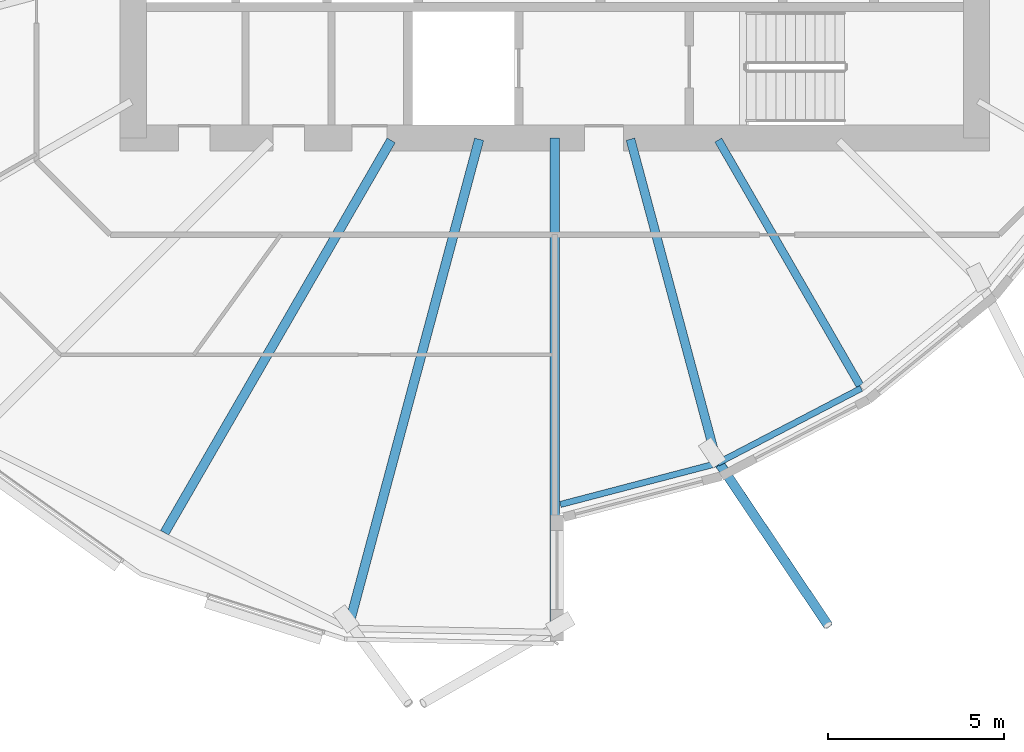
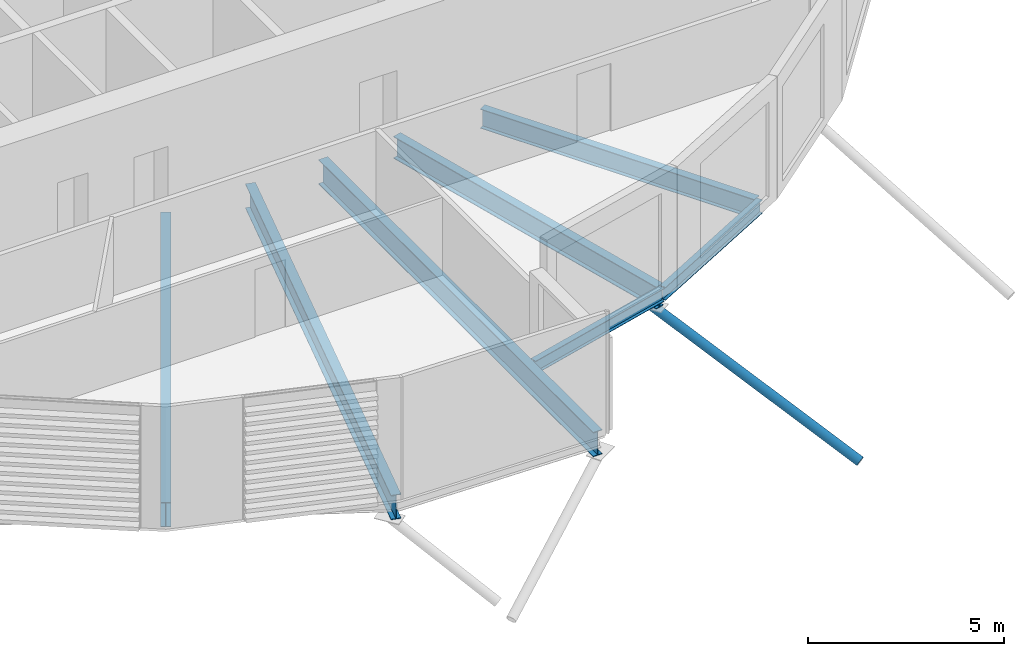
# One storey, part 13 of 42: 7 beams, 1 member.
"""IFC4 building model written with IfcOpenShell, lengths in metres."""

import ifcopenshell
import ifcopenshell.guid

model = None  # the IFC model being written
_history = None  # IfcOwnerHistory: only IFC2X3 demands one
_inside = {}  # id of a spatial element -> (the spatial element, [elements in it])
_under = {}  # id of a project, library or spatial element -> (it, [spatial elements below it])
_declared = {}  # id of a project -> (the project, [libraries it declares])
_typed = {}  # id of a type object -> (the type object, [elements of that type])
_made_of = {}  # id of a material, layer set ... -> (it, [elements and type objects made of it])


def new_model(schema):
    """Start an empty IFC model of exactly this schema.

    Asked for "IFC4X3", IfcOpenShell would pick the latest addendum, in which some entities
    have other attributes; the version numbers below select the first issue.
    IFC2X3 requires an IfcOwnerHistory on every rooted entity: one is made here for all.
    """
    global model, _history
    if schema == "IFC4X3":
        model = ifcopenshell.file(schema_version=(4, 3, 0, 0))
    else:
        model = ifcopenshell.file(schema=schema)
    _inside.clear()
    _under.clear()
    _declared.clear()
    _typed.clear()
    _made_of.clear()
    _history = None
    if model.schema == "IFC2X3":
        org = make("IfcOrganization", Name="unknown")
        user = make(
            "IfcPersonAndOrganization",
            ThePerson=make("IfcPerson", FamilyName="unknown"),
            TheOrganization=org,
        )
        app = make(
            "IfcApplication",
            ApplicationDeveloper=org,
            Version="unknown",
            ApplicationFullName="unknown",
            ApplicationIdentifier="unknown",
        )
        _history = make(
            "IfcOwnerHistory",
            OwningUser=user,
            OwningApplication=app,
            ChangeAction="ADDED",
            CreationDate=0,
        )
    return model


def make(cls, **values):
    """One entity of the class cls with the attributes given. An attribute that is None is left unset."""
    return model.create_entity(
        cls, **{name: value for name, value in values.items() if value is not None}
    )


def rooted(cls, **values):
    """An entity with a GlobalId (a new one), such as an element, a storey or a relation."""
    return make(cls, GlobalId=ifcopenshell.guid.new(), OwnerHistory=_history, **values)


def si_unit(unit_type, name, prefix=None):
    """IfcSIUnit, for example si_unit("LENGTHUNIT", "METRE", prefix="MILLI")."""
    return make("IfcSIUnit", UnitType=unit_type, Prefix=prefix, Name=name)


def assignment(units):
    """IfcUnitAssignment: the units of a project."""
    return None if units is None else make("IfcUnitAssignment", Units=units)


def point(xyz):
    """IfcCartesianPoint."""
    return None if xyz is None else make("IfcCartesianPoint", Coordinates=xyz)


def direction(xyz):
    """IfcDirection."""
    return None if xyz is None else make("IfcDirection", DirectionRatios=xyz)


def frame(location, z_axis=None, x_axis=None):
    """IfcAxis2Placement3D, a coordinate frame: its origin and axes. An axis left out is left unset."""
    return make(
        "IfcAxis2Placement3D",
        Location=point(location),
        Axis=direction(z_axis),
        RefDirection=direction(x_axis),
    )


def frame_2d(location, x_axis=None):
    """IfcAxis2Placement2D, a coordinate frame in the plane: its origin and x axis."""
    return make(
        "IfcAxis2Placement2D", Location=point(location), RefDirection=direction(x_axis)
    )


def origin():
    """The frame at (0, 0, 0) with its axes left unset."""
    return frame((0.0, 0.0, 0.0))


def origin_2d():
    """The frame at (0, 0) in the plane with its x axis left unset."""
    return frame_2d((0.0, 0.0))


def place(relative_to, where):
    """IfcLocalPlacement: puts the frame where relative to a parent placement (None: the world)."""
    return make(
        "IfcLocalPlacement", PlacementRelTo=relative_to, RelativePlacement=where
    )


def context(
    kind, dimensions, precision=None, world=None, true_north=None, identifier=None
):
    """IfcGeometricRepresentationContext, for example the 3D "Model" context."""
    return make(
        "IfcGeometricRepresentationContext",
        ContextIdentifier=identifier,
        ContextType=kind,
        CoordinateSpaceDimension=dimensions,
        Precision=precision,
        WorldCoordinateSystem=world,
        TrueNorth=true_north,
    )


def subcontext(parent, identifier, kind, view, scale=None):
    """IfcGeometricRepresentationSubContext, for example "Body" below "Model"."""
    return make(
        "IfcGeometricRepresentationSubContext",
        ContextIdentifier=identifier,
        ContextType=kind,
        ParentContext=parent,
        TargetScale=scale,
        TargetView=view,
    )


def project(units=None, contexts=None):
    """IfcProject with its units and contexts."""
    return rooted(
        "IfcProject",
        Name="project",
        RepresentationContexts=contexts,
        UnitsInContext=assignment(units),
    )


def spatial(cls, under=None, at=None, **own):
    """A site, building, storey or space (cls), placed at a placement, below another one or the project."""
    s = rooted(cls, ObjectPlacement=at, **own)
    if under is not None:
        _under.setdefault(under.id(), (under, []))[1].append(s)
    return s


def profile(cls, at=None, kind="AREA", **sizes):
    """A parametric profile (cls). Its sizes go by their IFC names, for example OverallWidth=200.0."""
    return make(cls, ProfileType=kind, Position=at, **sizes)


def hollow_circle(**sizes):
    """IfcCircleHollowProfileDef."""
    return profile("IfcCircleHollowProfileDef", **sizes)


def i_section(**sizes):
    """IfcIShapeProfileDef."""
    return profile("IfcIShapeProfileDef", **sizes)


def extrude(swept, where, along, depth):
    """IfcExtrudedAreaSolid: the profile swept, set in the frame where, extruded along a direction by depth."""
    return make(
        "IfcExtrudedAreaSolid",
        SweptArea=swept,
        Position=where,
        ExtrudedDirection=direction(along),
        Depth=depth,
    )


def clip(a, b, op="DIFFERENCE"):
    """IfcBooleanClippingResult: the solid a cut by the half space b."""
    return make(
        "IfcBooleanClippingResult", Operator=op, FirstOperand=a, SecondOperand=b
    )


def halfspace(plane, agree):
    """IfcHalfSpaceSolid: all space on one side of the plane z = 0 of the frame plane."""
    return make(
        "IfcHalfSpaceSolid",
        BaseSurface=make("IfcPlane", Position=plane),
        AgreementFlag=agree,
    )


def shape(context_of_items, identifier, shape_type, items):
    """IfcShapeRepresentation: the items that make up one representation, for example the "Body"."""
    return make(
        "IfcShapeRepresentation",
        ContextOfItems=context_of_items,
        RepresentationIdentifier=identifier,
        RepresentationType=shape_type,
        Items=items,
    )


def material(Name=None, Category=None):
    """IfcMaterial."""
    return make("IfcMaterial", Name=Name, Category=Category)


def material_profile(
    of_material, cross_section, Name=None, Category=None, Priority=None
):
    """IfcMaterialProfile: a cross section and its material."""
    return make(
        "IfcMaterialProfile",
        Name=Name,
        Material=of_material,
        Profile=cross_section,
        Priority=Priority,
        Category=Category,
    )


def profile_set(profiles, Name=None, composite=None):
    """IfcMaterialProfileSet."""
    return make(
        "IfcMaterialProfileSet",
        Name=Name,
        MaterialProfiles=profiles,
        CompositeProfile=composite,
    )


def made_of(thing, what):
    """Note that an element or type object is made of a material, layer set ...; save() writes the relation."""
    if what is not None:
        _made_of.setdefault(what.id(), (what, []))[1].append(thing)
    return thing


def type_object(cls, material=None, **own):
    """A type object (cls), such as IfcWallType, which elements share."""
    return made_of(rooted(cls, **own), material)


def element(
    cls,
    number,
    at=None,
    inside=None,
    cuts=None,
    type_object=None,
    material=None,
    context=None,
    identifier="Body",
    shape_type=None,
    held_by="IfcProductDefinitionShape",
    body=None,
    shapes=None,
    **own,
):
    """One element of the class cls, such as IfcWall. Its Tag is "e" and its number.

    at: its placement. inside: the storey or other place that contains it. cuts: it is an
    opening in that element (IfcRelVoidsElement). A single representation is given by context,
    identifier, shape_type and body (its items); several are given by shapes. held_by: the class
    of the entity that holds the representations. save() writes the other relations.
    """
    e = rooted(cls, Tag="e%d" % number, ObjectPlacement=at, **own)
    if body is not None:
        shapes = [shape(context, identifier, shape_type, body)]
    if shapes is not None:
        e.Representation = make(held_by, Representations=shapes)
    if inside is not None:
        _inside.setdefault(inside.id(), (inside, []))[1].append(e)
    if cuts is not None:
        rooted(
            "IfcRelVoidsElement", RelatingBuildingElement=cuts, RelatedOpeningElement=e
        )
    if type_object is not None:
        _typed.setdefault(type_object.id(), (type_object, []))[1].append(e)
    return made_of(e, material)


def aggregate(whole, parts):
    """IfcRelAggregates: a whole, such as a stair, and the parts it consists of."""
    return rooted("IfcRelAggregates", RelatingObject=whole, RelatedObjects=parts)


def save(model, path):
    """Write the relations noted so far, then the file.

    IfcRelAggregates (storeys below a building ...), IfcRelContainedInSpatialStructure (elements
    in a storey), IfcRelDefinesByType, IfcRelAssociatesMaterial and IfcRelDeclares: one each for
    every whole, place, type object, material and project.
    """
    for whole, parts in _under.values():
        aggregate(whole, parts)
    for where, things in _inside.values():
        rooted(
            "IfcRelContainedInSpatialStructure",
            RelatedElements=things,
            RelatingStructure=where,
        )
    for kind, things in _typed.values():
        rooted("IfcRelDefinesByType", RelatedObjects=things, RelatingType=kind)
    for what, things in _made_of.values():
        rooted("IfcRelAssociatesMaterial", RelatedObjects=things, RelatingMaterial=what)
    for by, libraries in _declared.values():
        rooted("IfcRelDeclares", RelatingContext=by, RelatedDefinitions=libraries)
    model.write(path)


model = new_model("IFC4")

# Units and contexts
model_context = context("Model", 3, precision=1e-05, world=origin(), true_north=direction((0.0, 1.0)))
body_context = subcontext(model_context, "Body", "Model", "MODEL_VIEW")
ifc_project = project(units=[si_unit("LENGTHUNIT", "METRE"), si_unit("AREAUNIT", "SQUARE_METRE"), si_unit("VOLUMEUNIT", "CUBIC_METRE"), si_unit("PLANEANGLEUNIT", "RADIAN"), si_unit("MASSUNIT", "GRAM", prefix="KILO")], contexts=[model_context])

# Site, building, storey
site_placement = place(None, origin())
site = spatial("IfcSite", under=ifc_project, at=site_placement, CompositionType="ELEMENT")
building_placement = place(site_placement, origin())
building = spatial("IfcBuilding", under=site, at=building_placement, Name="Rimbun Link Towers", CompositionType="ELEMENT")
storey_placement = place(building_placement, frame((0.0, 0.0, 85.39990234375)))
storey = spatial("IfcBuildingStorey", under=building, at=storey_placement, Name="L20", CompositionType="ELEMENT", Elevation=85.39990234375)

# Member
ifc_material_1 = material(Name="Steel S355J2H", Category="steel")
ifc_material_profile_1 = material_profile(ifc_material_1, hollow_circle(Radius=0.136474609375, WallThickness=0.012451171875, at=origin_2d()), Name="CHS 273x12.5")
ifc_profile_set_1 = profile_set([ifc_material_profile_1], Name="Steel S355J2H")
member_type = type_object("IfcMemberType", Name="Floor edge link CHS 273x12.5", PredefinedType="BRACE", material=ifc_profile_set_1)
member_placement = place(storey_placement, frame((36.338134765625, -17.123291015625, -0.9658203125), z_axis=(0.496232569669, -0.73870596174, -0.456143331519), x_axis=(0.830094071548, 0.557623378618, 0.0)))
element("IfcMember", 1, at=member_placement, inside=storey, type_object=member_type, Name="Floor edge link T2 L20 16", PredefinedType="BRACE", context=body_context, shape_type="Clipping", body=[
    clip(extrude(hollow_circle(Radius=0.136474609375, WallThickness=0.012451171875, at=origin_2d()), frame((0.0, 0.0, -0.554443359375)), (0.0, 0.0, 1.0), 6.9794921875), halfspace(frame((0.0, 0.0, -0.263916015625), z_axis=(0.0, 0.889906321537, -0.456143331519)), False)),
])

# Beams
ifc_material_2 = material(Name="Steel S355J2", Category="steel")
ifc_material_profile_2 = material_profile(ifc_material_2, i_section(OverallWidth=0.177978515625, OverallDepth=0.406494140625, WebThickness=0.0078125, FlangeThickness=0.0126953125, at=origin_2d()), Name="UB 406x178x60")
ifc_profile_set_2 = profile_set([ifc_material_profile_2], Name="Steel S355J2")
beam_type_1 = type_object("IfcBeamType", Name="UB 406x178x60", PredefinedType="BEAM", material=ifc_profile_set_2)
beam_1_placement = place(storey_placement, frame((31.906982421875, -18.428955078125, -0.363037109375), z_axis=(0.967376552356, 0.253342862446, 0.0), x_axis=(-0.253342862446, 0.967376552356, 0.0)))
element("IfcBeam", 2, at=beam_1_placement, inside=storey, type_object=beam_type_1, Name="Edge beam T2 L20 15 recess", PredefinedType="BEAM", context=body_context, shape_type="SweptSolid", body=[
    extrude(i_section(OverallWidth=0.177978515625, OverallDepth=0.406494140625, WebThickness=0.0078125, FlangeThickness=0.0126953125, at=origin_2d()), origin(), (0.0, 0.0, 1.0), 4.607421875),
])
beam_2_placement = place(storey_placement, frame((36.38427734375, -17.25390625, -0.363037109375), z_axis=(0.886721799489, 0.462303418018, 0.0), x_axis=(-0.462303418018, 0.886721799489, 0.0)))
element("IfcBeam", 3, at=beam_2_placement, inside=storey, type_object=beam_type_1, Name="Edge beam T2 L20 16 recess", PredefinedType="BEAM", context=body_context, shape_type="SweptSolid", body=[
    extrude(i_section(OverallWidth=0.177978515625, OverallDepth=0.406494140625, WebThickness=0.0078125, FlangeThickness=0.0126953125, at=origin_2d()), origin(), (0.0, 0.0, 1.0), 4.607666015625),
])
ifc_material_3 = material(Name="Steel S355J2", Category="steel")
ifc_material_profile_3 = material_profile(ifc_material_3, i_section(OverallWidth=0.2275390625, OverallDepth=0.6025390625, WebThickness=0.010498046875, FlangeThickness=0.014892578125, at=origin_2d()), Name="UB 610x229x101")
ifc_profile_set_3 = profile_set([ifc_material_profile_3], Name="Steel S355J2")
beam_type_2 = type_object("IfcBeamType", Name="UB 610x229x101", PredefinedType="BEAM", material=ifc_profile_set_3)
beam_3_placement = place(storey_placement, frame((36.402099609375, -8.057861328125, -0.461181640625), z_axis=(0.500001141088, -0.866024744976, 0.0), x_axis=(0.866024744976, 0.500001141088, 0.0)))
element("IfcBeam", 4, at=beam_3_placement, inside=storey, type_object=beam_type_2, Name="Radial beam T2 L20 17", PredefinedType="BEAM", context=body_context, shape_type="SweptSolid", body=[
    extrude(i_section(OverallWidth=0.2275390625, OverallDepth=0.6025390625, WebThickness=0.010498046875, FlangeThickness=0.014892578125, at=origin_2d()), origin(), (0.0, 0.0, 1.0), 8.0634765625),
])
ifc_material_4 = material(Name="Steel S355J2", Category="steel")
ifc_material_profile_4 = material_profile(ifc_material_4, i_section(OverallWidth=0.253662109375, OverallDepth=0.68359375, WebThickness=0.012451171875, FlangeThickness=0.01904296875, at=origin_2d()), Name="UB 686x254x140")
ifc_profile_set_4 = profile_set([ifc_material_profile_4], Name="Steel S355J2")
beam_type_3 = type_object("IfcBeamType", Name="UB 686x254x140", PredefinedType="BEAM", material=ifc_profile_set_4)
beam_4_placement = place(storey_placement, frame((33.902587890625, -8.03369140625, -0.501708984375), z_axis=(0.258817351841, -0.965926279995, 0.0), x_axis=(0.965926279995, 0.258817351841, 0.0)))
element("IfcBeam", 5, at=beam_4_placement, inside=storey, type_object=beam_type_3, Name="Radial beam T2 L20 16", PredefinedType="BEAM", context=body_context, shape_type="SweptSolid", body=[
    extrude(i_section(OverallWidth=0.253662109375, OverallDepth=0.68359375, WebThickness=0.012451171875, FlangeThickness=0.01904296875, at=origin_2d()), origin(), (0.0, 0.0, 1.0), 9.460205078125),
])
ifc_material_5 = material(Name="Steel S355J2", Category="steel")
ifc_material_profile_5 = material_profile(ifc_material_5, i_section(OverallWidth=0.2666015625, OverallDepth=0.76220703125, WebThickness=0.014404296875, FlangeThickness=0.021484375, at=origin_2d()), Name="UB 762x267x173")
ifc_profile_set_5 = profile_set([ifc_material_profile_5], Name="Steel S355J2")
beam_type_4 = type_object("IfcBeamType", Name="UB 762x267x173", PredefinedType="BEAM", material=ifc_profile_set_5)
beam_5_placement = place(storey_placement, frame((27.09228515625, -8.0673828125, -0.541015625), z_axis=(-0.500006572533, -0.866021609098, 0.0), x_axis=(0.866021609098, -0.500006572533, 0.0)))
element("IfcBeam", 6, at=beam_5_placement, inside=storey, type_object=beam_type_4, Name="Radial beam T2 L20 13", PredefinedType="BEAM", context=body_context, shape_type="SweptSolid", body=[
    extrude(i_section(OverallWidth=0.2666015625, OverallDepth=0.76220703125, WebThickness=0.014404296875, FlangeThickness=0.021484375, at=origin_2d()), origin(), (0.0, 0.0, 1.0), 12.892822265625),
])
beam_6_placement = place(storey_placement, frame((29.596923828125, -8.035400390625, -0.541015625), z_axis=(-0.258815068395, -0.965926891836, 0.0), x_axis=(0.965926891836, -0.258815068395, 0.0)))
element("IfcBeam", 7, at=beam_6_placement, inside=storey, type_object=beam_type_4, Name="Radial beam T2 L20 14", PredefinedType="BEAM", context=body_context, shape_type="SweptSolid", body=[
    extrude(i_section(OverallWidth=0.2666015625, OverallDepth=0.76220703125, WebThickness=0.014404296875, FlangeThickness=0.021484375, at=origin_2d()), origin(), (0.0, 0.0, 1.0), 14.3173828125),
])
beam_7_placement = place(storey_placement, frame((31.75, -8.0009765625, -0.541015625), z_axis=(0.0, -1.0, 0.0), x_axis=(1.0, 0.0, 0.0)))
element("IfcBeam", 8, at=beam_7_placement, inside=storey, type_object=beam_type_4, Name="Radial beam T2 L20 15", PredefinedType="BEAM", context=body_context, shape_type="SweptSolid", body=[
    extrude(i_section(OverallWidth=0.2666015625, OverallDepth=0.76220703125, WebThickness=0.014404296875, FlangeThickness=0.021484375, at=origin_2d()), origin(), (0.0, 0.0, 1.0), 13.980224609375),
])

save(model, "model.ifc")
